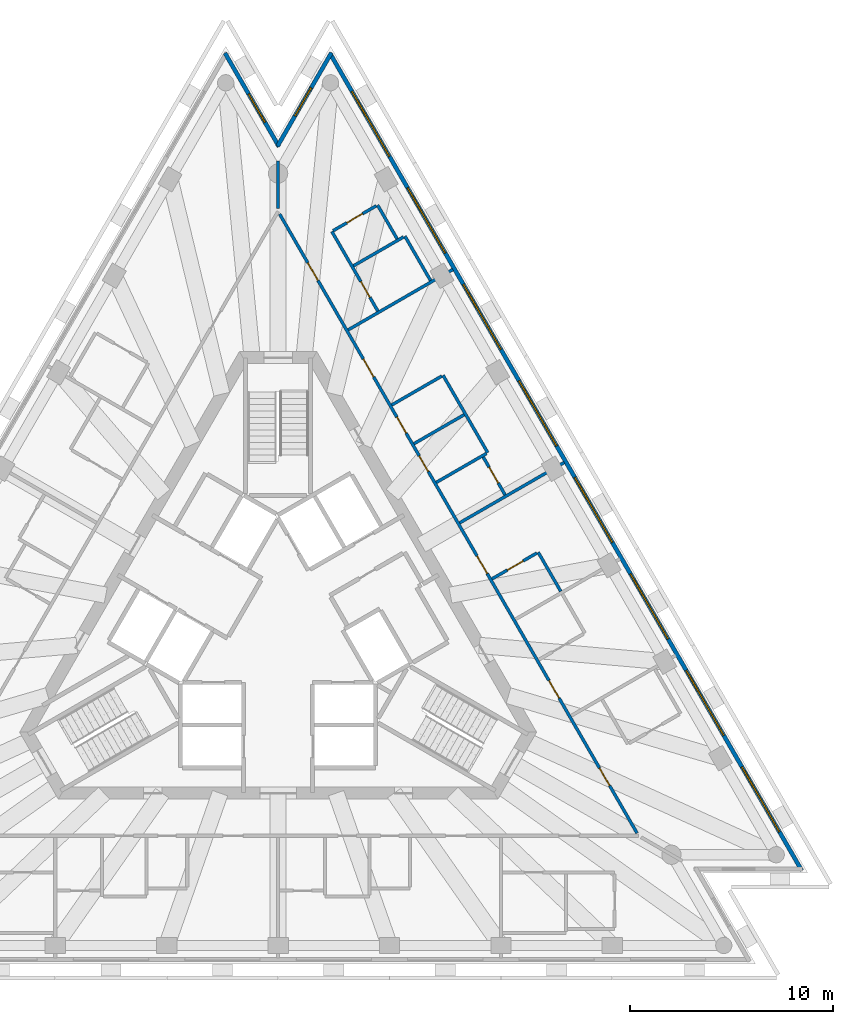
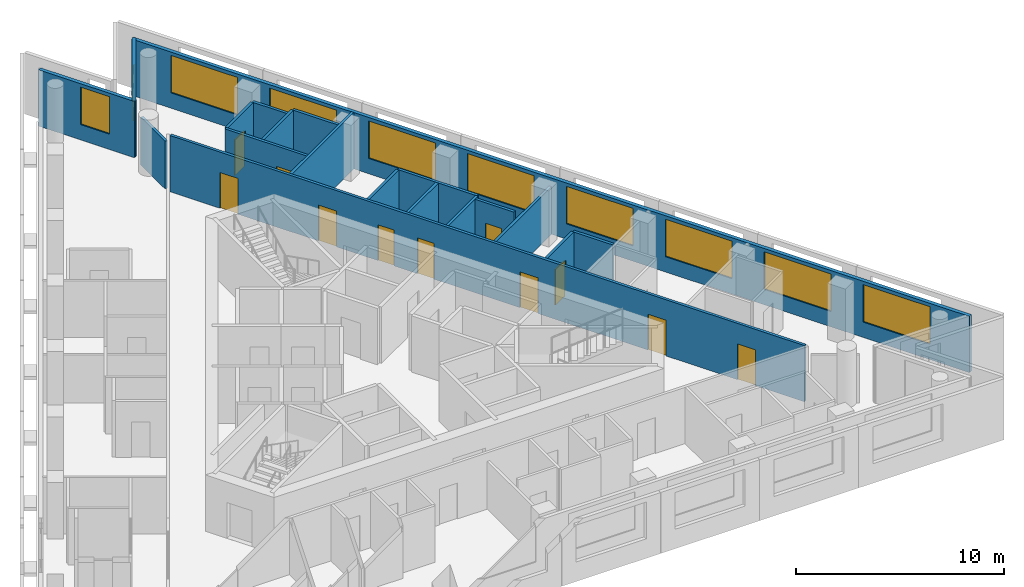
# One storey, part 7 of 9: 19 walls, 11 doors, 10 windows, 21 openings.
"""IFC4 building model written with IfcOpenShell, lengths in metres."""

from ifc_helpers import new_model, si_unit, direction, frame, frame_2d, origin, place, context, subcontext, project, spatial, rectangle, extrude, material, layer, layer_set, layer_usage, type_object, element, fill, save


model = new_model("IFC4")

# Units and contexts
model_context = context("Model", 3, precision=1e-05, world=origin(), true_north=direction((0.0, 1.0)))
body_context = subcontext(model_context, "Body", "Model", "MODEL_VIEW")
ifc_project = project(units=[si_unit("LENGTHUNIT", "METRE"), si_unit("AREAUNIT", "SQUARE_METRE"), si_unit("VOLUMEUNIT", "CUBIC_METRE"), si_unit("PLANEANGLEUNIT", "RADIAN"), si_unit("MASSUNIT", "GRAM", prefix="KILO")], contexts=[model_context])

# Site, building, storey
site_placement = place(None, origin())
site = spatial("IfcSite", under=ifc_project, at=site_placement, CompositionType="ELEMENT")
building_placement = place(site_placement, origin())
building = spatial("IfcBuilding", under=site, at=building_placement, Name="Triada Interchange Tower", CompositionType="ELEMENT")
storey_placement = place(building_placement, frame((0.0, 0.0, 286.300048828125)))
storey = spatial("IfcBuildingStorey", under=building, at=storey_placement, Name="L67", CompositionType="ELEMENT", Elevation=286.300048828125)

# Wall, openings, windows
ifc_material_1 = material(Name="Cement board")
ifc_layer_1 = layer(ifc_material_1, 0.02001953125, Name="Cement board cladding")
ifc_material_2 = material(Name="Sheathing board")
ifc_layer_2 = layer(ifc_material_2, 0.014892578125, Name="Sheathing board")
ifc_material_3 = material(Name="Mineral wool")
ifc_layer_3 = layer(ifc_material_3, 0.14990234375, Name="Mineral wool between steel studs")
ifc_material_4 = material(Name="Gypsum board")
ifc_layer_4 = layer(ifc_material_4, 0.014892578125, Name="Plasterboard lining")
ifc_layer_set_1 = layer_set([ifc_layer_1, ifc_layer_2, ifc_layer_3, ifc_layer_4], Name="External wall 200")
ifc_layer_usage = layer_usage(ifc_layer_set_1, "AXIS2", "POSITIVE", -0.10009765625)
wall_type_1 = type_object("IfcWallType", Name="External wall 200", PredefinedType="ELEMENTEDWALL", material=ifc_layer_set_1)
wall_1_placement = place(storey_placement, frame((25.791015625, -11.9619140625, 0.0), z_axis=(0.0, 0.0, 1.0), x_axis=(-0.500006870765, 0.86602143691, 0.0)))
wall_1 = element("IfcWall", 1, at=wall_1_placement, inside=storey, type_object=wall_type_1, material=ifc_layer_usage, Name="External wall L67 NE", PredefinedType="ELEMENTEDWALL", context=body_context, shape_type="SweptSolid", body=[
    extrude(rectangle(XDim=46.489501953125, YDim=0.199951171875, at=frame_2d((23.24462890625, 0.0))), origin(), (0.0, 0.0, 1.0), 3.300048828125),
])
opening_1_placement = place(wall_1_placement, frame((2.197021484375, 0.0, 0.89990234375)))
opening_1 = element("IfcOpeningElement", 2, at=opening_1_placement, cuts=wall_1, Name="Opening WD21", PredefinedType="OPENING", context=body_context, shape_type="SweptSolid", body=[
    extrude(rectangle(XDim=3.699951171875, YDim=2.199951171875, at=frame_2d((1.85009765625, 1.10009765625))), frame((0.0, 0.10986328125, 0.0), z_axis=(0.0, -1.0, 0.0), x_axis=(1.0, 0.0, 0.0)), (0.0, 0.0, 1.0), 0.219970703125),
])
opening_2_placement = place(wall_1_placement, frame((7.68505859375, 0.0, 0.89990234375)))
opening_2 = element("IfcOpeningElement", 3, at=opening_2_placement, cuts=wall_1, Name="Opening WD22", PredefinedType="OPENING", context=body_context, shape_type="SweptSolid", body=[
    extrude(rectangle(XDim=3.699951171875, YDim=2.199951171875, at=frame_2d((1.85009765625, 1.10009765625))), frame((0.0, 0.10986328125, 0.0), z_axis=(0.0, -1.0, 0.0), x_axis=(1.0, 0.0, 0.0)), (0.0, 0.0, 1.0), 0.219970703125),
])
opening_3_placement = place(wall_1_placement, frame((13.173095703125, 0.0, 0.89990234375)))
opening_3 = element("IfcOpeningElement", 4, at=opening_3_placement, cuts=wall_1, Name="Opening WD23", PredefinedType="OPENING", context=body_context, shape_type="SweptSolid", body=[
    extrude(rectangle(XDim=3.699951171875, YDim=2.199951171875, at=frame_2d((1.85009765625, 1.10009765625))), frame((0.0, 0.10986328125, 0.0), z_axis=(0.0, -1.0, 0.0), x_axis=(1.0, 0.0, 0.0)), (0.0, 0.0, 1.0), 0.219970703125),
])
opening_4_placement = place(wall_1_placement, frame((18.660888671875, 0.0, 0.89990234375)))
opening_4 = element("IfcOpeningElement", 5, at=opening_4_placement, cuts=wall_1, Name="Opening WD24", PredefinedType="OPENING", context=body_context, shape_type="SweptSolid", body=[
    extrude(rectangle(XDim=3.699951171875, YDim=2.199951171875, at=frame_2d((1.85009765625, 1.10009765625))), frame((0.0, 0.10986328125, 0.0), z_axis=(0.0, -1.0, 0.0), x_axis=(1.0, 0.0, 0.0)), (0.0, 0.0, 1.0), 0.219970703125),
])
opening_5_placement = place(wall_1_placement, frame((24.14892578125, 0.0, 0.89990234375)))
opening_5 = element("IfcOpeningElement", 6, at=opening_5_placement, cuts=wall_1, Name="Opening WD25", PredefinedType="OPENING", context=body_context, shape_type="SweptSolid", body=[
    extrude(rectangle(XDim=3.699951171875, YDim=2.199951171875, at=frame_2d((1.85009765625, 1.10009765625))), frame((0.0, 0.10986328125, 0.0), z_axis=(0.0, -1.0, 0.0), x_axis=(1.0, 0.0, 0.0)), (0.0, 0.0, 1.0), 0.219970703125),
])
opening_6_placement = place(wall_1_placement, frame((29.636962890625, 0.0, 0.89990234375)))
opening_6 = element("IfcOpeningElement", 7, at=opening_6_placement, cuts=wall_1, Name="Opening WD26", PredefinedType="OPENING", context=body_context, shape_type="SweptSolid", body=[
    extrude(rectangle(XDim=3.699951171875, YDim=2.199951171875, at=frame_2d((1.85009765625, 1.10009765625))), frame((0.0, 0.10986328125, 0.0), z_axis=(0.0, -1.0, 0.0), x_axis=(1.0, 0.0, 0.0)), (0.0, 0.0, 1.0), 0.219970703125),
])
opening_7_placement = place(wall_1_placement, frame((35.125, 0.0, 0.89990234375)))
opening_7 = element("IfcOpeningElement", 8, at=opening_7_placement, cuts=wall_1, Name="Opening WD27", PredefinedType="OPENING", context=body_context, shape_type="SweptSolid", body=[
    extrude(rectangle(XDim=3.699951171875, YDim=2.199951171875, at=frame_2d((1.85009765625, 1.10009765625))), frame((0.0, 0.10986328125, 0.0), z_axis=(0.0, -1.0, 0.0), x_axis=(1.0, 0.0, 0.0)), (0.0, 0.0, 1.0), 0.219970703125),
])
opening_8_placement = place(wall_1_placement, frame((40.613037109375, 0.0, 0.89990234375)))
opening_8 = element("IfcOpeningElement", 9, at=opening_8_placement, cuts=wall_1, Name="Opening WD28", PredefinedType="OPENING", context=body_context, shape_type="SweptSolid", body=[
    extrude(rectangle(XDim=3.699951171875, YDim=2.199951171875, at=frame_2d((1.85009765625, 1.10009765625))), frame((0.0, 0.10986328125, 0.0), z_axis=(0.0, -1.0, 0.0), x_axis=(1.0, 0.0, 0.0)), (0.0, 0.0, 1.0), 0.219970703125),
])
ifc_material_5 = material(Name="Double glazed aluminium window", Category="aluminium")
window_type_1 = type_object("IfcWindowType", Name="Ribbon window D face", PartitioningType="SINGLE_PANEL", PredefinedType="WINDOW", material=ifc_material_5)
window_1_placement = place(opening_1_placement, origin())
window_1 = element("IfcWindow", 10, at=window_1_placement, inside=storey, type_object=window_type_1, Name="Window L67 NE 1", OverallHeight=2.199951171875, OverallWidth=3.699951171875, PartitioningType="SINGLE_PANEL", PredefinedType="WINDOW", context=body_context, shape_type="SweptSolid", body=[
    extrude(rectangle(XDim=3.699951171875, YDim=2.199951171875, at=frame_2d((1.85009765625, 1.10009765625))), frame((0.0, 0.030029296875, 0.0), z_axis=(0.0, -1.0, 0.0), x_axis=(1.0, 0.0, 0.0)), (0.0, 0.0, 1.0), 0.06005859375),
])
fill(opening_1, window_1)
window_2_placement = place(opening_2_placement, origin())
window_2 = element("IfcWindow", 11, at=window_2_placement, inside=storey, type_object=window_type_1, Name="Window L67 NE 2", OverallHeight=2.199951171875, OverallWidth=3.699951171875, PartitioningType="SINGLE_PANEL", PredefinedType="WINDOW", context=body_context, shape_type="SweptSolid", body=[
    extrude(rectangle(XDim=3.699951171875, YDim=2.199951171875, at=frame_2d((1.85009765625, 1.10009765625))), frame((0.0, 0.030029296875, 0.0), z_axis=(0.0, -1.0, 0.0), x_axis=(1.0, 0.0, 0.0)), (0.0, 0.0, 1.0), 0.06005859375),
])
fill(opening_2, window_2)
window_3_placement = place(opening_3_placement, origin())
window_3 = element("IfcWindow", 12, at=window_3_placement, inside=storey, type_object=window_type_1, Name="Window L67 NE 3", OverallHeight=2.199951171875, OverallWidth=3.699951171875, PartitioningType="SINGLE_PANEL", PredefinedType="WINDOW", context=body_context, shape_type="SweptSolid", body=[
    extrude(rectangle(XDim=3.699951171875, YDim=2.199951171875, at=frame_2d((1.85009765625, 1.10009765625))), frame((0.0, 0.030029296875, 0.0), z_axis=(0.0, -1.0, 0.0), x_axis=(1.0, 0.0, 0.0)), (0.0, 0.0, 1.0), 0.06005859375),
])
fill(opening_3, window_3)
window_4_placement = place(opening_4_placement, origin())
window_4 = element("IfcWindow", 13, at=window_4_placement, inside=storey, type_object=window_type_1, Name="Window L67 NE 4", OverallHeight=2.199951171875, OverallWidth=3.699951171875, PartitioningType="SINGLE_PANEL", PredefinedType="WINDOW", context=body_context, shape_type="SweptSolid", body=[
    extrude(rectangle(XDim=3.699951171875, YDim=2.199951171875, at=frame_2d((1.85009765625, 1.10009765625))), frame((0.0, 0.030029296875, 0.0), z_axis=(0.0, -1.0, 0.0), x_axis=(1.0, 0.0, 0.0)), (0.0, 0.0, 1.0), 0.06005859375),
])
fill(opening_4, window_4)
window_5_placement = place(opening_5_placement, origin())
window_5 = element("IfcWindow", 14, at=window_5_placement, inside=storey, type_object=window_type_1, Name="Window L67 NE 5", OverallHeight=2.199951171875, OverallWidth=3.699951171875, PartitioningType="SINGLE_PANEL", PredefinedType="WINDOW", context=body_context, shape_type="SweptSolid", body=[
    extrude(rectangle(XDim=3.699951171875, YDim=2.199951171875, at=frame_2d((1.85009765625, 1.10009765625))), frame((0.0, 0.030029296875, 0.0), z_axis=(0.0, -1.0, 0.0), x_axis=(1.0, 0.0, 0.0)), (0.0, 0.0, 1.0), 0.06005859375),
])
fill(opening_5, window_5)
window_6_placement = place(opening_6_placement, origin())
window_6 = element("IfcWindow", 15, at=window_6_placement, inside=storey, type_object=window_type_1, Name="Window L67 NE 6", OverallHeight=2.199951171875, OverallWidth=3.699951171875, PartitioningType="SINGLE_PANEL", PredefinedType="WINDOW", context=body_context, shape_type="SweptSolid", body=[
    extrude(rectangle(XDim=3.699951171875, YDim=2.199951171875, at=frame_2d((1.85009765625, 1.10009765625))), frame((0.0, 0.030029296875, 0.0), z_axis=(0.0, -1.0, 0.0), x_axis=(1.0, 0.0, 0.0)), (0.0, 0.0, 1.0), 0.06005859375),
])
fill(opening_6, window_6)
window_7_placement = place(opening_7_placement, origin())
window_7 = element("IfcWindow", 16, at=window_7_placement, inside=storey, type_object=window_type_1, Name="Window L67 NE 7", OverallHeight=2.199951171875, OverallWidth=3.699951171875, PartitioningType="SINGLE_PANEL", PredefinedType="WINDOW", context=body_context, shape_type="SweptSolid", body=[
    extrude(rectangle(XDim=3.699951171875, YDim=2.199951171875, at=frame_2d((1.85009765625, 1.10009765625))), frame((0.0, 0.030029296875, 0.0), z_axis=(0.0, -1.0, 0.0), x_axis=(1.0, 0.0, 0.0)), (0.0, 0.0, 1.0), 0.06005859375),
])
fill(opening_7, window_7)
window_8_placement = place(opening_8_placement, origin())
window_8 = element("IfcWindow", 17, at=window_8_placement, inside=storey, type_object=window_type_1, Name="Window L67 NE 8", OverallHeight=2.199951171875, OverallWidth=3.699951171875, PartitioningType="SINGLE_PANEL", PredefinedType="WINDOW", context=body_context, shape_type="SweptSolid", body=[
    extrude(rectangle(XDim=3.699951171875, YDim=2.199951171875, at=frame_2d((1.85009765625, 1.10009765625))), frame((0.0, 0.030029296875, 0.0), z_axis=(0.0, -1.0, 0.0), x_axis=(1.0, 0.0, 0.0)), (0.0, 0.0, 1.0), 0.06005859375),
])
fill(opening_8, window_8)

# Wall, opening, window
wall_2_placement = place(storey_placement, frame((2.6259765625, 28.31591796875, 0.0), z_axis=(0.0, 0.0, 1.0), x_axis=(-0.500071953966, -0.865983857157, 0.0)))
wall_2 = element("IfcWall", 18, at=wall_2_placement, inside=storey, type_object=wall_type_1, material=ifc_layer_usage, Name="External wall L67 N-1", PredefinedType="ELEMENTEDWALL", context=body_context, shape_type="SweptSolid", body=[
    extrude(rectangle(XDim=5.321044921875, YDim=0.199951171875, at=frame_2d((2.66064453125, 0.0))), origin(), (0.0, 0.0, 1.0), 3.300048828125),
])
opening_9_placement = place(wall_2_placement, frame((1.989990234375, 0.0, 0.89990234375)))
opening_9 = element("IfcOpeningElement", 19, at=opening_9_placement, cuts=wall_2, Name="Opening WD29", PredefinedType="OPENING", context=body_context, shape_type="SweptSolid", body=[
    extrude(rectangle(XDim=1.60009765625, YDim=2.199951171875, at=frame_2d((0.800048828125, 1.10009765625))), frame((0.0, 0.10986328125, 0.0), z_axis=(0.0, -1.0, 0.0), x_axis=(1.0, 0.0, 0.0)), (0.0, 0.0, 1.0), 0.219970703125),
])
window_type_2 = type_object("IfcWindowType", Name="Ribbon window D pocket", PartitioningType="SINGLE_PANEL", PredefinedType="WINDOW", material=ifc_material_5)
window_9_placement = place(opening_9_placement, origin())
window_9 = element("IfcWindow", 20, at=window_9_placement, inside=storey, type_object=window_type_2, Name="Window L67 N-1 1", OverallHeight=2.199951171875, OverallWidth=1.60009765625, PartitioningType="SINGLE_PANEL", PredefinedType="WINDOW", context=body_context, shape_type="SweptSolid", body=[
    extrude(rectangle(XDim=1.60009765625, YDim=2.199951171875, at=frame_2d((0.800048828125, 1.10009765625))), frame((0.0, 0.030029296875, 0.0), z_axis=(0.0, -1.0, 0.0), x_axis=(1.0, 0.0, 0.0)), (0.0, 0.0, 1.0), 0.06005859375),
])
fill(opening_9, window_9)

wall_3_placement = place(storey_placement, frame((0.044921875, 23.69091796875, 0.0), z_axis=(0.0, 0.0, 1.0), x_axis=(-0.500052085069, 0.865995330367, 0.0)))
wall_3 = element("IfcWall", 21, at=wall_3_placement, inside=storey, type_object=wall_type_1, material=ifc_layer_usage, Name="External wall L67 N-2", PredefinedType="ELEMENTEDWALL", context=body_context, shape_type="SweptSolid", body=[
    extrude(rectangle(XDim=5.3212890625, YDim=0.199951171875, at=frame_2d((2.66064453125, 0.0))), origin(), (0.0, 0.0, 1.0), 3.300048828125),
])
opening_10_placement = place(wall_3_placement, frame((1.389892578125, 0.0, 0.89990234375)))
opening_10 = element("IfcOpeningElement", 22, at=opening_10_placement, cuts=wall_3, Name="Opening WD30", PredefinedType="OPENING", context=body_context, shape_type="SweptSolid", body=[
    extrude(rectangle(XDim=1.60009765625, YDim=2.199951171875, at=frame_2d((0.800048828125, 1.10009765625))), frame((0.0, 0.10986328125, 0.0), z_axis=(0.0, -1.0, 0.0), x_axis=(1.0, 0.0, 0.0)), (0.0, 0.0, 1.0), 0.219970703125),
])
window_10_placement = place(opening_10_placement, origin())
window_10 = element("IfcWindow", 23, at=window_10_placement, inside=storey, type_object=window_type_2, Name="Window L67 N-2 1", OverallHeight=2.199951171875, OverallWidth=1.60009765625, PartitioningType="SINGLE_PANEL", PredefinedType="WINDOW", context=body_context, shape_type="SweptSolid", body=[
    extrude(rectangle(XDim=1.60009765625, YDim=2.199951171875, at=frame_2d((0.800048828125, 1.10009765625))), frame((0.0, 0.030029296875, 0.0), z_axis=(0.0, -1.0, 0.0), x_axis=(1.0, 0.0, 0.0)), (0.0, 0.0, 1.0), 0.06005859375),
])
fill(opening_10, window_10)

# Walls
ifc_material_6 = material(Name="Gypsum board partition")
ifc_layer_5 = layer(ifc_material_6, 0.14990234375)
ifc_layer_set_2 = layer_set([ifc_layer_5], Name="PARTITION 150 EI 180")
wall_type_2 = type_object("IfcWallType", Name="PARTITION 150 EI 180", PredefinedType="PARTITIONING", material=ifc_layer_set_2)
wall_4_placement = place(storey_placement, frame((8.94189453125, 5.162109375, 0.0), z_axis=(0.0, 0.0, 1.0), x_axis=(0.866004483474, 0.50003623329, 0.0)))
element("IfcWall", 24, at=wall_4_placement, inside=storey, type_object=wall_type_2, Name="Wall L65 2", PredefinedType="PARTITIONING", context=body_context, shape_type="SweptSolid", body=[
    extrude(rectangle(XDim=5.94921875, YDim=0.14990234375, at=frame_2d((2.974609375, 0.0))), origin(), (0.0, 0.0, 1.0), 2.800048828125),
])
wall_5_placement = place(storey_placement, frame((0.0, 20.64990234375, 0.0), z_axis=(0.0, 0.0, 1.0), x_axis=(0.0, 1.0, 0.0)))
element("IfcWall", 25, at=wall_5_placement, inside=storey, type_object=wall_type_2, Name="Wall L65 18", PredefinedType="PARTITIONING", context=body_context, shape_type="SweptSolid", body=[
    extrude(rectangle(XDim=2.339111328125, YDim=0.14990234375, at=frame_2d((1.16943359375, 0.0))), origin(), (0.0, 0.0, 1.0), 2.800048828125),
])

# Wall, openings, doors
wall_6_placement = place(storey_placement, frame((0.074951171875, 20.3701171875, 0.0), z_axis=(0.0, 0.0, 1.0), x_axis=(0.500003985697, -0.866023102629, 0.0)))
wall_6 = element("IfcWall", 26, at=wall_6_placement, inside=storey, type_object=wall_type_2, Name="Wall L65 19", PredefinedType="PARTITIONING", context=body_context, shape_type="SweptSolid", body=[
    extrude(rectangle(XDim=35.205810546875, YDim=0.14990234375, at=frame_2d((17.60302734375, 0.0))), origin(), (0.0, 0.0, 1.0), 3.300048828125),
])
opening_11_placement = place(wall_6_placement, frame((31.506103515625, 0.0, 0.0)))
opening_11 = element("IfcOpeningElement", 27, at=opening_11_placement, cuts=wall_6, Name="Opening D65-25", PredefinedType="OPENING", context=body_context, shape_type="SweptSolid", body=[
    extrude(rectangle(XDim=1.0, YDim=2.10009765625, at=frame_2d((0.5, 1.050048828125))), frame((0.0, 0.0849609375, 0.0), z_axis=(0.0, -1.0, 0.0), x_axis=(1.0, 0.0, 0.0)), (0.0, 0.0, 1.0), 0.169921875),
])
opening_12_placement = place(wall_6_placement, frame((26.529052734375, 0.0, 0.0)))
opening_12 = element("IfcOpeningElement", 28, at=opening_12_placement, cuts=wall_6, Name="Opening D65-27", PredefinedType="OPENING", context=body_context, shape_type="SweptSolid", body=[
    extrude(rectangle(XDim=1.0, YDim=2.10009765625, at=frame_2d((0.5, 1.050048828125))), frame((0.0, 0.0849609375, 0.0), z_axis=(0.0, -1.0, 0.0), x_axis=(1.0, 0.0, 0.0)), (0.0, 0.0, 1.0), 0.169921875),
])
opening_13_placement = place(wall_6_placement, frame((19.44189453125, 0.0, 0.0)))
opening_13 = element("IfcOpeningElement", 29, at=opening_13_placement, cuts=wall_6, Name="Opening D65-29", PredefinedType="OPENING", context=body_context, shape_type="SweptSolid", body=[
    extrude(rectangle(XDim=1.0, YDim=2.10009765625, at=frame_2d((0.5, 1.050048828125))), frame((0.0, 0.0849609375, 0.0), z_axis=(0.0, -1.0, 0.0), x_axis=(1.0, 0.0, 0.0)), (0.0, 0.0, 1.0), 0.169921875),
])
opening_14_placement = place(wall_6_placement, frame((8.25390625, 0.0, 0.0)))
opening_14 = element("IfcOpeningElement", 30, at=opening_14_placement, cuts=wall_6, Name="Opening D65-31", PredefinedType="OPENING", context=body_context, shape_type="SweptSolid", body=[
    extrude(rectangle(XDim=1.0, YDim=2.10009765625, at=frame_2d((0.5, 1.050048828125))), frame((0.0, 0.0849609375, 0.0), z_axis=(0.0, -1.0, 0.0), x_axis=(1.0, 0.0, 0.0)), (0.0, 0.0, 1.0), 0.169921875),
])
opening_15_placement = place(wall_6_placement, frame((13.75390625, 0.0, 0.0)))
opening_15 = element("IfcOpeningElement", 31, at=opening_15_placement, cuts=wall_6, Name="Opening D65-33", PredefinedType="OPENING", context=body_context, shape_type="SweptSolid", body=[
    extrude(rectangle(XDim=0.89990234375, YDim=2.10009765625, at=frame_2d((0.449951171875, 1.050048828125))), frame((0.0, 0.0849609375, 0.0), z_axis=(0.0, -1.0, 0.0), x_axis=(1.0, 0.0, 0.0)), (0.0, 0.0, 1.0), 0.169921875),
])
opening_16_placement = place(wall_6_placement, frame((11.553955078125, 0.0, 0.0)))
opening_16 = element("IfcOpeningElement", 32, at=opening_16_placement, cuts=wall_6, Name="Opening D65-34", PredefinedType="OPENING", context=body_context, shape_type="SweptSolid", body=[
    extrude(rectangle(XDim=0.89990234375, YDim=2.10009765625, at=frame_2d((0.449951171875, 1.050048828125))), frame((0.0, 0.0849609375, 0.0), z_axis=(0.0, -1.0, 0.0), x_axis=(1.0, 0.0, 0.0)), (0.0, 0.0, 1.0), 0.169921875),
])
opening_17_placement = place(wall_6_placement, frame((2.777099609375, 0.0, 0.0)))
opening_17 = element("IfcOpeningElement", 33, at=opening_17_placement, cuts=wall_6, Name="Opening D65-35", PredefinedType="OPENING", context=body_context, shape_type="SweptSolid", body=[
    extrude(rectangle(XDim=1.0, YDim=2.10009765625, at=frame_2d((0.5, 1.050048828125))), frame((0.0, 0.0849609375, 0.0), z_axis=(0.0, -1.0, 0.0), x_axis=(1.0, 0.0, 0.0)), (0.0, 0.0, 1.0), 0.169921875),
])
ifc_material_7 = material(Name="Steel S235 door leaf", Category="steel")
door_type_1 = type_object("IfcDoorType", Name="GUEST ROOM DOOR 1000 EI2 90-C5S200", OperationType="NOTDEFINED", PredefinedType="DOOR", material=ifc_material_7)
door_1_placement = place(opening_11_placement, origin())
door_1 = element("IfcDoor", 34, at=door_1_placement, inside=storey, type_object=door_type_1, Name="Door D65-25 L67", OperationType="SINGLE_SWING_RIGHT", OverallHeight=2.10009765625, OverallWidth=1.0, PredefinedType="DOOR", context=body_context, shape_type="SweptSolid", body=[
    extrude(rectangle(XDim=1.0, YDim=2.10009765625, at=frame_2d((0.5, 1.050048828125))), frame((0.0, 0.02490234375, 0.0), z_axis=(0.0, -1.0, 0.0), x_axis=(1.0, 0.0, 0.0)), (0.0, 0.0, 1.0), 0.050048828125),
])
fill(opening_11, door_1)
door_2_placement = place(opening_12_placement, origin())
door_2 = element("IfcDoor", 35, at=door_2_placement, inside=storey, type_object=door_type_1, Name="Door D65-27 L67", OperationType="SINGLE_SWING_LEFT", OverallHeight=2.10009765625, OverallWidth=1.0, PredefinedType="DOOR", context=body_context, shape_type="SweptSolid", body=[
    extrude(rectangle(XDim=1.0, YDim=2.10009765625, at=frame_2d((0.5, 1.050048828125))), frame((0.0, 0.02490234375, 0.0), z_axis=(0.0, -1.0, 0.0), x_axis=(1.0, 0.0, 0.0)), (0.0, 0.0, 1.0), 0.050048828125),
])
fill(opening_12, door_2)
door_3_placement = place(opening_13_placement, origin())
door_3 = element("IfcDoor", 36, at=door_3_placement, inside=storey, type_object=door_type_1, Name="Door D65-29 L67", OperationType="SINGLE_SWING_LEFT", OverallHeight=2.10009765625, OverallWidth=1.0, PredefinedType="DOOR", context=body_context, shape_type="SweptSolid", body=[
    extrude(rectangle(XDim=1.0, YDim=2.10009765625, at=frame_2d((0.5, 1.050048828125))), frame((0.0, 0.02490234375, 0.0), z_axis=(0.0, -1.0, 0.0), x_axis=(1.0, 0.0, 0.0)), (0.0, 0.0, 1.0), 0.050048828125),
])
fill(opening_13, door_3)
door_4_placement = place(opening_14_placement, origin())
door_4 = element("IfcDoor", 37, at=door_4_placement, inside=storey, type_object=door_type_1, Name="Door D65-31 L67", OperationType="SINGLE_SWING_RIGHT", OverallHeight=2.10009765625, OverallWidth=1.0, PredefinedType="DOOR", context=body_context, shape_type="SweptSolid", body=[
    extrude(rectangle(XDim=1.0, YDim=2.10009765625, at=frame_2d((0.5, 1.050048828125))), frame((0.0, 0.02490234375, 0.0), z_axis=(0.0, -1.0, 0.0), x_axis=(1.0, 0.0, 0.0)), (0.0, 0.0, 1.0), 0.050048828125),
])
fill(opening_14, door_4)
door_5_placement = place(opening_17_placement, origin())
door_5 = element("IfcDoor", 38, at=door_5_placement, inside=storey, type_object=door_type_1, Name="Door D65-35 L67", OperationType="SINGLE_SWING_LEFT", OverallHeight=2.10009765625, OverallWidth=1.0, PredefinedType="DOOR", context=body_context, shape_type="SweptSolid", body=[
    extrude(rectangle(XDim=1.0, YDim=2.10009765625, at=frame_2d((0.5, 1.050048828125))), frame((0.0, 0.02490234375, 0.0), z_axis=(0.0, -1.0, 0.0), x_axis=(1.0, 0.0, 0.0)), (0.0, 0.0, 1.0), 0.050048828125),
])
fill(opening_17, door_5)
door_type_2 = type_object("IfcDoorType", Name="ROOM DOOR 900 EI2 90-C5S200", OperationType="NOTDEFINED", PredefinedType="DOOR", material=ifc_material_7)
door_6_placement = place(opening_16_placement, origin())
door_6 = element("IfcDoor", 39, at=door_6_placement, inside=storey, type_object=door_type_2, Name="Door D65-34 L67", OperationType="SINGLE_SWING_LEFT", OverallHeight=2.10009765625, OverallWidth=0.89990234375, PredefinedType="DOOR", context=body_context, shape_type="SweptSolid", body=[
    extrude(rectangle(XDim=0.89990234375, YDim=2.10009765625, at=frame_2d((0.449951171875, 1.050048828125))), frame((0.0, 0.02490234375, 0.0), z_axis=(0.0, -1.0, 0.0), x_axis=(1.0, 0.0, 0.0)), (0.0, 0.0, 1.0), 0.050048828125),
])
fill(opening_16, door_6)
door_type_3 = type_object("IfcDoorType", Name="SERVICE DOOR 900 EI2 90-C5S200", OperationType="NOTDEFINED", PredefinedType="DOOR", material=ifc_material_7)
door_7_placement = place(opening_15_placement, origin())
door_7 = element("IfcDoor", 40, at=door_7_placement, inside=storey, type_object=door_type_3, Name="Door D65-33 L67", OperationType="SINGLE_SWING_LEFT", OverallHeight=2.10009765625, OverallWidth=0.89990234375, PredefinedType="DOOR", context=body_context, shape_type="SweptSolid", body=[
    extrude(rectangle(XDim=0.89990234375, YDim=2.10009765625, at=frame_2d((0.449951171875, 1.050048828125))), frame((0.0, 0.02490234375, 0.0), z_axis=(0.0, -1.0, 0.0), x_axis=(1.0, 0.0, 0.0)), (0.0, 0.0, 1.0), 0.050048828125),
])
fill(opening_15, door_7)

# Walls
wall_7_placement = place(storey_placement, frame((3.4541015625, 14.66796875, 0.0), z_axis=(0.0, 0.0, 1.0), x_axis=(0.865976450533, 0.500084779935, 0.0)))
element("IfcWall", 41, at=wall_7_placement, inside=storey, type_object=wall_type_2, Name="Wall L65 22", PredefinedType="PARTITIONING", context=body_context, shape_type="SweptSolid", body=[
    extrude(rectangle(XDim=5.94921875, YDim=0.14990234375, at=frame_2d((2.974609375, 0.0))), origin(), (0.0, 0.0, 1.0), 3.300048828125),
])
wall_8_placement = place(storey_placement, frame((8.125, 12.427001953125, 0.0), z_axis=(0.0, 0.0, 1.0), x_axis=(0.500036278648, -0.866004457284, 0.0)))
element("IfcWall", 42, at=wall_8_placement, inside=storey, type_object=wall_type_2, Name="Wall L65 24", PredefinedType="PARTITIONING", context=body_context, shape_type="SweptSolid", body=[
    extrude(rectangle(XDim=4.399658203125, YDim=0.14990234375, at=frame_2d((2.19970703125, 0.0))), origin(), (0.0, 0.0, 1.0), 3.300048828125),
])
for number, where, z_axis, x_axis, name in (
    (43, (5.592041015625, 10.965087890625, 0.0), (0.0, 0.0, 1.0), (0.866041498374, 0.499972122318, 0.0), "Wall L65 25"),
    (44, (6.69189453125, 9.06005859375, 0.0), (0.0, 0.0, 1.0), (0.866004402611, 0.500036373335, 0.0), "Wall L65 26"),
    (45, (7.7919921875, 7.154052734375, 0.0), (0.0, 0.0, 1.0), (0.866004402611, 0.500036373335, 0.0), "Wall L65 27"),
):
    element("IfcWall", number, at=place(storey_placement, frame(where, z_axis=z_axis, x_axis=x_axis)), inside=storey, type_object=wall_type_2, Name=name, PredefinedType="PARTITIONING", context=body_context, shape_type="SweptSolid", body=[
        extrude(rectangle(XDim=2.849853515625, YDim=0.14990234375, at=frame_2d((1.4248046875, 0.0))), origin(), (0.0, 0.0, 1.0), 3.300048828125),
    ])

# Wall, opening, door
ifc_layer_6 = layer(ifc_material_6, 0.14990234375)
ifc_layer_set_3 = layer_set([ifc_layer_6], Name="PARTITION 150 EI 90")
wall_type_3 = type_object("IfcWallType", Name="PARTITION 150 EI 90", PredefinedType="PARTITIONING", material=ifc_layer_set_3)
wall_9_placement = place(storey_placement, frame((2.64697265625, 19.513916015625, 0.0), z_axis=(0.0, 0.0, 1.0), x_axis=(0.500149036902, -0.865939340188, 0.0)))
wall_9 = element("IfcWall", 46, at=wall_9_placement, inside=storey, type_object=wall_type_3, Name="Wall L65 54", PredefinedType="PARTITIONING", context=body_context, shape_type="SweptSolid", body=[
    extrude(rectangle(XDim=4.5244140625, YDim=0.14990234375, at=frame_2d((2.26220703125, 0.0))), origin(), (0.0, 0.0, 1.0), 3.300048828125),
])
opening_18_placement = place(wall_9_placement, frame((2.85009765625, 0.0, 0.0)))
opening_18 = element("IfcOpeningElement", 47, at=opening_18_placement, cuts=wall_9, Name="Opening D65-36", PredefinedType="OPENING", context=body_context, shape_type="SweptSolid", body=[
    extrude(rectangle(XDim=0.89990234375, YDim=2.10009765625, at=frame_2d((0.449951171875, 1.050048828125))), frame((0.0, 0.0849609375, 0.0), z_axis=(0.0, -1.0, 0.0), x_axis=(1.0, 0.0, 0.0)), (0.0, 0.0, 1.0), 0.169921875),
])
door_type_4 = type_object("IfcDoorType", Name="ROOM DOOR 900 EI2 45-C5S200", OperationType="NOTDEFINED", PredefinedType="DOOR", material=ifc_material_7)
door_8_placement = place(opening_18_placement, origin())
door_8 = element("IfcDoor", 48, at=door_8_placement, inside=storey, type_object=door_type_4, Name="Door D65-36 L67", OperationType="SINGLE_SWING_RIGHT", OverallHeight=2.10009765625, OverallWidth=0.89990234375, PredefinedType="DOOR", context=body_context, shape_type="SweptSolid", body=[
    extrude(rectangle(XDim=0.89990234375, YDim=2.10009765625, at=frame_2d((0.449951171875, 1.050048828125))), frame((0.0, 0.02490234375, 0.0), z_axis=(0.0, -1.0, 0.0), x_axis=(1.0, 0.0, 0.0)), (0.0, 0.0, 1.0), 0.050048828125),
])
fill(opening_18, door_8)

# Walls
wall_10_placement = place(storey_placement, frame((6.24609375, 19.281982421875, 0.0), z_axis=(0.0, 0.0, 1.0), x_axis=(0.499956887143, -0.866050293573, 0.0)))
element("IfcWall", 49, at=wall_10_placement, inside=storey, type_object=wall_type_3, Name="Wall L65 56", PredefinedType="PARTITIONING", context=body_context, shape_type="SweptSolid", body=[
    extrude(rectangle(XDim=2.524169921875, YDim=0.14990234375, at=frame_2d((1.26220703125, 0.0))), origin(), (0.0, 0.0, 1.0), 3.300048828125),
])
wall_11_placement = place(storey_placement, frame((3.7119140625, 17.820068359375, 0.0), z_axis=(0.0, 0.0, 1.0), x_axis=(0.866090043625, 0.499888023795, 0.0)))
element("IfcWall", 50, at=wall_11_placement, inside=storey, type_object=wall_type_3, Name="Wall L65 58", PredefinedType="PARTITIONING", context=body_context, shape_type="SweptSolid", body=[
    extrude(rectangle(XDim=2.850830078125, YDim=0.14990234375, at=frame_2d((1.42529296875, 0.0))), origin(), (0.0, 0.0, 1.0), 3.300048828125),
])
wall_12_placement = place(storey_placement, frame((4.89892578125, 20.81396484375, 0.0), z_axis=(0.0, 0.0, 1.0), x_axis=(0.500271259635, -0.865868735308, 0.0)))
element("IfcWall", 51, at=wall_12_placement, inside=storey, type_object=wall_type_3, Name="Wall L65 59", PredefinedType="PARTITIONING", context=body_context, shape_type="SweptSolid", body=[
    extrude(rectangle(XDim=1.92529296875, YDim=0.14990234375, at=frame_2d((0.962646484375, 0.0))), origin(), (0.0, 0.0, 1.0), 3.300048828125),
])

# Wall, opening, door
wall_13_placement = place(storey_placement, frame((2.7119140625, 19.552001953125, 0.0), z_axis=(0.0, 0.0, 1.0), x_axis=(0.8660395779, 0.499975448907, 0.0)))
wall_13 = element("IfcWall", 52, at=wall_13_placement, inside=storey, type_object=wall_type_3, Name="Wall L65 60", PredefinedType="PARTITIONING", context=body_context, shape_type="SweptSolid", body=[
    extrude(rectangle(XDim=2.4501953125, YDim=0.14990234375, at=frame_2d((1.22509765625, 0.0))), origin(), (0.0, 0.0, 1.0), 3.300048828125),
])
opening_19_placement = place(wall_13_placement, frame((0.77490234375, 0.0, 0.0)))
opening_19 = element("IfcOpeningElement", 53, at=opening_19_placement, cuts=wall_13, Name="Opening D65-37", PredefinedType="OPENING", context=body_context, shape_type="SweptSolid", body=[
    extrude(rectangle(XDim=0.89990234375, YDim=2.10009765625, at=frame_2d((0.449951171875, 1.050048828125))), frame((0.0, 0.0849609375, 0.0), z_axis=(0.0, -1.0, 0.0), x_axis=(1.0, 0.0, 0.0)), (0.0, 0.0, 1.0), 0.169921875),
])
door_type_5 = type_object("IfcDoorType", Name="SERVICE DOOR 900 EI2 45-C5S200", OperationType="NOTDEFINED", PredefinedType="DOOR", material=ifc_material_7)
door_9_placement = place(opening_19_placement, origin())
door_9 = element("IfcDoor", 54, at=door_9_placement, inside=storey, type_object=door_type_5, Name="Door D65-37 L67", OperationType="SINGLE_SWING_LEFT", OverallHeight=2.10009765625, OverallWidth=0.89990234375, PredefinedType="DOOR", context=body_context, shape_type="SweptSolid", body=[
    extrude(rectangle(XDim=0.89990234375, YDim=2.10009765625, at=frame_2d((0.449951171875, 1.050048828125))), frame((0.0, 0.02490234375, 0.0), z_axis=(0.0, -1.0, 0.0), x_axis=(1.0, 0.0, 0.0)), (0.0, 0.0, 1.0), 0.050048828125),
])
fill(opening_19, door_9)

wall_14_placement = place(storey_placement, frame((10.10302734375, 8.402099609375, 0.0), z_axis=(0.0, 0.0, 1.0), x_axis=(0.499961633463, -0.866047553582, 0.0)))
wall_14 = element("IfcWall", 55, at=wall_14_placement, inside=storey, type_object=wall_type_3, Name="Wall L65 61", PredefinedType="PARTITIONING", context=body_context, shape_type="SweptSolid", body=[
    extrude(rectangle(XDim=2.150146484375, YDim=0.14990234375, at=frame_2d((1.0751953125, 0.0))), origin(), (0.0, 0.0, 1.0), 3.300048828125),
])
opening_20_placement = place(wall_14_placement, frame((0.574951171875, 0.0, 0.0)))
opening_20 = element("IfcOpeningElement", 56, at=opening_20_placement, cuts=wall_14, Name="Opening D65-32", PredefinedType="OPENING", context=body_context, shape_type="SweptSolid", body=[
    extrude(rectangle(XDim=0.89990234375, YDim=2.10009765625, at=frame_2d((0.449951171875, 1.050048828125))), frame((0.0, 0.0849609375, 0.0), z_axis=(0.0, -1.0, 0.0), x_axis=(1.0, 0.0, 0.0)), (0.0, 0.0, 1.0), 0.169921875),
])
door_10_placement = place(opening_20_placement, origin())
door_10 = element("IfcDoor", 57, at=door_10_placement, inside=storey, type_object=door_type_4, Name="Door D65-32 L67", OperationType="SINGLE_SWING_LEFT", OverallHeight=2.10009765625, OverallWidth=0.89990234375, PredefinedType="DOOR", context=body_context, shape_type="SweptSolid", body=[
    extrude(rectangle(XDim=0.89990234375, YDim=2.10009765625, at=frame_2d((0.449951171875, 1.050048828125))), frame((0.0, 0.02490234375, 0.0), z_axis=(0.0, -1.0, 0.0), x_axis=(1.0, 0.0, 0.0)), (0.0, 0.0, 1.0), 0.050048828125),
])
fill(opening_20, door_10)

# Wall
wall_15_placement = place(storey_placement, frame((12.80908203125, 3.714111328125, 0.0), z_axis=(0.0, 0.0, 1.0), x_axis=(0.500162441854, -0.865931597621, 0.0)))
element("IfcWall", 58, at=wall_15_placement, inside=storey, type_object=wall_type_3, Name="Wall L65 62", PredefinedType="PARTITIONING", context=body_context, shape_type="SweptSolid", body=[
    extrude(rectangle(XDim=2.225341796875, YDim=0.14990234375, at=frame_2d((1.11279296875, 0.0))), origin(), (0.0, 0.0, 1.0), 3.300048828125),
])

# Wall, opening, door
wall_16_placement = place(storey_placement, frame((10.535888671875, 2.40087890625, 0.0), z_axis=(0.0, 0.0, 1.0), x_axis=(0.865965520905, 0.500103705848, 0.0)))
wall_16 = element("IfcWall", 59, at=wall_16_placement, inside=storey, type_object=wall_type_3, Name="Wall L65 66", PredefinedType="PARTITIONING", context=body_context, shape_type="SweptSolid", body=[
    extrude(rectangle(XDim=2.5498046875, YDim=0.14990234375, at=frame_2d((1.27490234375, 0.0))), origin(), (0.0, 0.0, 1.0), 3.300048828125),
])
opening_21_placement = place(wall_16_placement, frame((0.875, 0.0, 0.0)))
opening_21 = element("IfcOpeningElement", 60, at=opening_21_placement, cuts=wall_16, Name="Opening D65-30", PredefinedType="OPENING", context=body_context, shape_type="SweptSolid", body=[
    extrude(rectangle(XDim=0.89990234375, YDim=2.10009765625, at=frame_2d((0.449951171875, 1.050048828125))), frame((0.0, 0.0849609375, 0.0), z_axis=(0.0, -1.0, 0.0), x_axis=(1.0, 0.0, 0.0)), (0.0, 0.0, 1.0), 0.169921875),
])
door_11_placement = place(opening_21_placement, origin())
door_11 = element("IfcDoor", 61, at=door_11_placement, inside=storey, type_object=door_type_4, Name="Door D65-30 L67", OperationType="SINGLE_SWING_RIGHT", OverallHeight=2.10009765625, OverallWidth=0.89990234375, PredefinedType="DOOR", context=body_context, shape_type="SweptSolid", body=[
    extrude(rectangle(XDim=0.89990234375, YDim=2.10009765625, at=frame_2d((0.449951171875, 1.050048828125))), frame((0.0, 0.02490234375, 0.0), z_axis=(0.0, -1.0, 0.0), x_axis=(1.0, 0.0, 0.0)), (0.0, 0.0, 1.0), 0.050048828125),
])
fill(opening_21, door_11)

save(model, "model.ifc")
